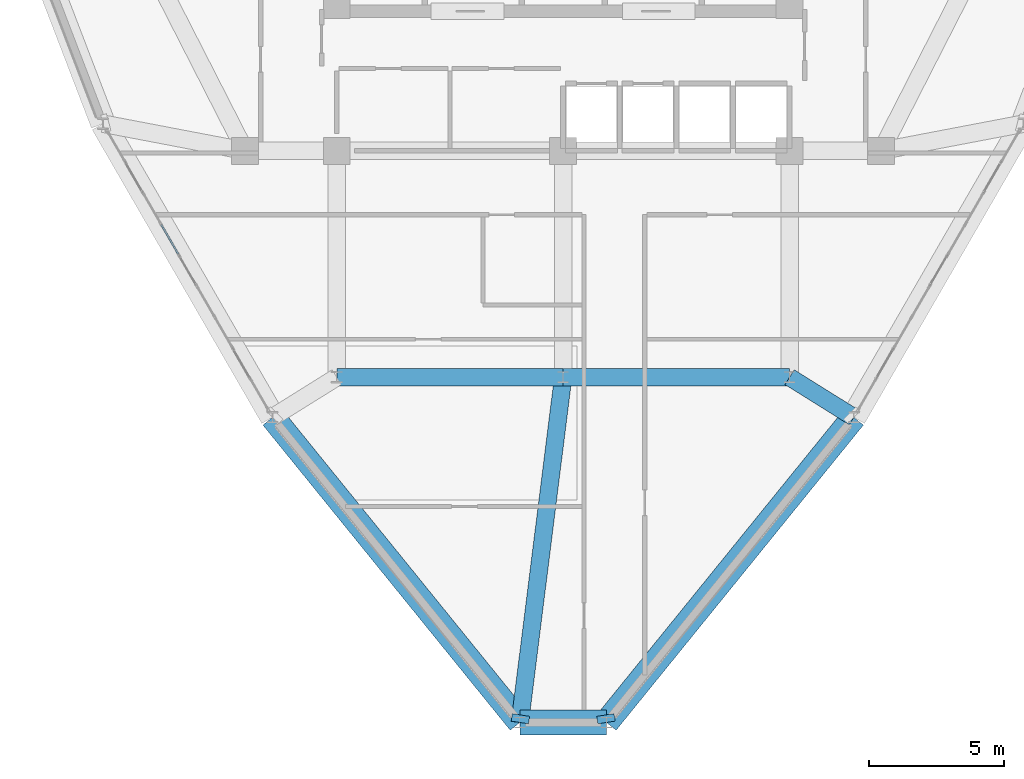
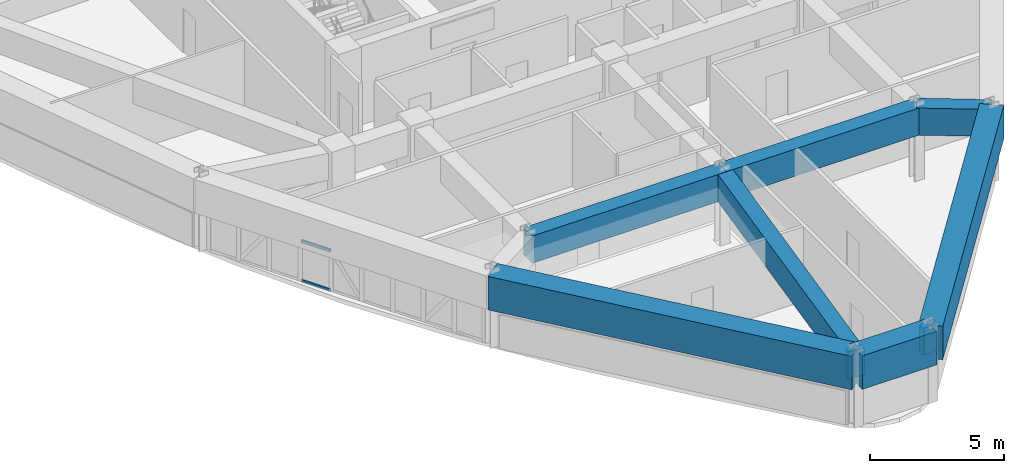
# One storey, part 3 of 14: 9 beams, 2 members, 1 element without a shape of its own.
"""IFC4 building model written with IfcOpenShell, lengths in metres."""

from ifc_helpers import new_model, si_unit, derived_unit, direction, frame, origin, origin_2d, place, context, subcontext, project, spatial, rectangle, hollow_rectangle, extrude, source, transform, mapped, material, layer, layer_set, material_profile, profile_set, type_object, element, aggregate, save


model = new_model("IFC4")

# Units and contexts
model_context = context("Model", 3, precision=1e-05, world=origin(), true_north=direction((0.0, 1.0)))
body_context = subcontext(model_context, "Body", "Model", "MODEL_VIEW")
ifc_project = project(units=[si_unit("LENGTHUNIT", "METRE"), si_unit("AREAUNIT", "SQUARE_METRE"), si_unit("VOLUMEUNIT", "CUBIC_METRE"), si_unit("PLANEANGLEUNIT", "RADIAN"), si_unit("MASSUNIT", "GRAM", prefix="KILO"), derived_unit("THERMALTRANSMITTANCEUNIT", [(si_unit("POWERUNIT", "WATT"), 1), (si_unit("LENGTHUNIT", "METRE"), -2), (si_unit("THERMODYNAMICTEMPERATUREUNIT", "KELVIN"), -1)])], contexts=[model_context])

# Site, building, storey
site_placement = place(None, origin())
site = spatial("IfcSite", under=ifc_project, at=site_placement, CompositionType="ELEMENT")
building_placement = place(site_placement, origin())
building = spatial("IfcBuilding", under=site, at=building_placement, Name="Korsvarv Bourse and Concert Hall", CompositionType="ELEMENT")
storey_placement = place(building_placement, frame((0.0, 0.0, 186.60009765625)))
storey = spatial("IfcBuildingStorey", under=building, at=storey_placement, Name="L48", CompositionType="ELEMENT", Elevation=186.60009765625)

# Beams
ifc_material_1 = material(Name="Concrete C50/60", Category="concrete")
ifc_material_profile_1 = material_profile(ifc_material_1, rectangle(XDim=0.64990234375, YDim=1.239990234375, at=origin_2d()), Name="RC-BM 650x1240")
ifc_profile_set_1 = profile_set([ifc_material_profile_1], Name="Concrete C50/60")
beam_type_1 = type_object("IfcBeamType", Name="BM-TR-SPN", PredefinedType="BEAM", material=ifc_profile_set_1)
shared_shape_1 = source(origin(), body_context, "Body", "SweptSolid", [
    extrude(rectangle(XDim=0.64990234375, YDim=1.239990234375, at=origin_2d()), origin(), (0.0, 0.0, 1.0), 8.39990234375),
])
for number, where, z_axis, x_axis, name in (
    (1, (27.60009765625, 24.0, 2.77978515625), (1.0, 0.0, 0.0), (0.0, 1.0, 0.0), "L48 beam B-TRS"),
    (2, (36.0, 24.0, 2.77978515625), (1.0, 0.0, 0.0), (0.0, 1.0, 0.0), "L48 beam B-TRS"),
):
    element("IfcBeam", number, at=place(storey_placement, frame(where, z_axis=z_axis, x_axis=x_axis)), inside=storey, type_object=beam_type_1, Name=name, PredefinedType="BEAM", context=body_context, shape_type="MappedRepresentation", body=[
        mapped(shared_shape_1, transform((0.0, 0.0, 0.0), scale=1.0)),
    ])
ifc_material_profile_2 = material_profile(ifc_material_1, rectangle(XDim=0.919921875, YDim=1.530029296875, at=origin_2d()), Name="RC-BM 920x1530")
ifc_profile_set_2 = profile_set([ifc_material_profile_2], Name="Concrete C50/60")
beam_type_2 = type_object("IfcBeamType", Name="BM-TR-154", PredefinedType="BEAM", material=ifc_profile_set_2)
shared_shape_2 = source(origin(), body_context, "Body", "SweptSolid", [
    extrude(rectangle(XDim=0.919921875, YDim=1.530029296875, at=origin_2d()), origin(), (0.0, 0.0, 1.0), 3.21533203125),
])
beam_1_placement = place(storey_placement, frame((34.392333984375, 11.189453125, 2.635009765625), z_axis=(1.0, 0.0, 0.0), x_axis=(0.0, 1.0, 0.0)))
element("IfcBeam", 3, at=beam_1_placement, inside=storey, type_object=beam_type_2, Name="L48 beam B-TR6", PredefinedType="BEAM", context=body_context, shape_type="MappedRepresentation", body=[
    mapped(shared_shape_2, transform((0.0, 0.0, 0.0), scale=1.0)),
])
shared_shape_3 = source(origin(), body_context, "Body", "SweptSolid", [
    extrude(rectangle(XDim=0.919921875, YDim=1.530029296875, at=origin_2d()), origin(), (0.0, 0.0, 1.0), 14.57373046875),
])
for number, where, z_axis, x_axis, name in (
    (4, (25.216796875, 22.51220703125, 2.635009765625), (0.629591866745, -0.776926046242, 0.0), (0.776926046242, 0.629591866745, 0.0), "L48 beam B-TR6"),
    (5, (37.607666015625, 11.189453125, 2.635009765625), (0.629591866745, 0.776926046242, 0.0), (-0.776926046242, 0.629591866745, 0.0), "L48 beam B-TR6"),
):
    element("IfcBeam", number, at=place(storey_placement, frame(where, z_axis=z_axis, x_axis=x_axis)), inside=storey, type_object=beam_type_2, Name=name, PredefinedType="BEAM", context=body_context, shape_type="MappedRepresentation", body=[
        mapped(shared_shape_3, transform((0.0, 0.0, 0.0), scale=1.0)),
    ])
shared_shape_4 = source(origin(), body_context, "Body", "SweptSolid", [
    extrude(rectangle(XDim=0.64990234375, YDim=1.239990234375, at=origin_2d()), origin(), (0.0, 0.0, 1.0), 2.8095703125),
])
beam_2_placement = place(storey_placement, frame((46.783203125, 22.51220703125, 2.77978515625), z_axis=(-0.848281328121, 0.529545832163, 0.0), x_axis=(-0.529545832163, -0.848281328121, 0.0)))
element("IfcBeam", 6, at=beam_2_placement, inside=storey, type_object=beam_type_1, Name="L48 beam B-TRS", PredefinedType="BEAM", context=body_context, shape_type="MappedRepresentation", body=[
    mapped(shared_shape_4, transform((0.0, 0.0, 0.0), scale=1.0)),
])
shared_shape_5 = source(origin(), body_context, "Body", "SweptSolid", [
    extrude(rectangle(XDim=0.64990234375, YDim=1.239990234375, at=origin_2d()), origin(), (0.0, 0.0, 1.0), 12.9111328125),
])
beam_3_placement = place(storey_placement, frame((34.392333984375, 11.189453125, 2.77978515625), z_axis=(0.124518802036, 0.992217248358, 0.0), x_axis=(-0.992217248358, 0.124518802036, 0.0)))
element("IfcBeam", 7, at=beam_3_placement, inside=storey, type_object=beam_type_1, Name="L48 beam B-TRS", PredefinedType="BEAM", context=body_context, shape_type="MappedRepresentation", body=[
    mapped(shared_shape_5, transform((0.0, 0.0, 0.0), scale=1.0)),
])
shared_shape_6 = source(origin(), body_context, "Body", "SweptSolid", [
    extrude(rectangle(XDim=0.64990234375, YDim=1.239990234375, at=origin_2d()), origin(), (0.0, 0.0, 1.0), 0.279052734375),
])
for number, where, z_axis, x_axis, name in (
    (8, (34.392333984375, 11.189453125, 2.77978515625), (0.154029806448, 0.988066201591, 0.0), (-0.988066201591, 0.154029806448, 0.0), "L48 beam B-TRS"),
    (9, (37.607666015625, 11.189453125, 2.77978515625), (-0.154029806448, 0.988066201591, 0.0), (-0.988066201591, -0.154029806448, 0.0), "L48 beam B-TRS"),
):
    element("IfcBeam", number, at=place(storey_placement, frame(where, z_axis=z_axis, x_axis=x_axis)), inside=storey, type_object=beam_type_1, Name=name, PredefinedType="BEAM", context=body_context, shape_type="MappedRepresentation", body=[
        mapped(shared_shape_6, transform((0.0, 0.0, 0.0), scale=1.0)),
    ])

# Curtain wall, members
ifc_material_2 = material(Name="Anodised aluminium and triple low-E glazing", Category="glass")
ifc_layer = layer(ifc_material_2, 0.199951171875)
ifc_layer_set = layer_set([ifc_layer], Name="Anodised aluminium and triple low-E glazing")
curtain_wall_type = type_object("IfcCurtainWallType", Name="CW-SYS-3", PredefinedType="NOTDEFINED", material=ifc_layer_set)
curtain_wall_placement = place(storey_placement, origin())
curtain_wall = element("IfcCurtainWall", 10, at=curtain_wall_placement, inside=storey, type_object=curtain_wall_type, Name="L48 CW3 curtain wall CW-L48-F07", PredefinedType="NOTDEFINED")
ifc_material_3 = material(Name="Extruded aluminium EN AW-6063 T66", Category="aluminium")
ifc_material_profile_3 = material_profile(ifc_material_3, hollow_rectangle(XDim=0.06494140625, YDim=0.139892578125, WallThickness=0.00390625, at=origin_2d()), Name="ALU-T 65x140")
ifc_profile_set_3 = profile_set([ifc_material_profile_3], Name="Extruded aluminium EN AW-6063 T66")
member_type = type_object("IfcMemberType", Name="CWT-140", PredefinedType="USERDEFINED", material=ifc_profile_set_3)
shared_shape_7 = source(origin(), body_context, "Body", "SweptSolid", [
    extrude(hollow_rectangle(XDim=0.06494140625, YDim=0.139892578125, WallThickness=0.00390625, at=origin_2d()), origin(), (0.0, 0.0, 1.0), 1.26123046875),
])
member_1_placement = place(storey_placement, frame((21.09130859375, 29.657958984375, 0.032470703125), z_axis=(0.499990548297, -0.866030860659, 0.0), x_axis=(0.866030860659, 0.499990548297, 0.0)))
member_1 = element("IfcMember", 11, at=member_1_placement, type_object=member_type, Name="CW3 transom 4.1", ObjectType="TRANSOM", PredefinedType="USERDEFINED", context=body_context, shape_type="MappedRepresentation", body=[
    mapped(shared_shape_7, transform((0.0, 0.0, 0.0), scale=1.0)),
])
member_2_placement = place(storey_placement, frame((21.09130859375, 29.657958984375, 1.83740234375), z_axis=(0.499990548297, -0.866030860659, 0.0), x_axis=(0.866030860659, 0.499990548297, 0.0)))
member_2 = element("IfcMember", 12, at=member_2_placement, type_object=member_type, Name="CW3 transom 4.2", ObjectType="TRANSOM", PredefinedType="USERDEFINED", context=body_context, shape_type="MappedRepresentation", body=[
    mapped(shared_shape_7, transform((0.0, 0.0, 0.0), scale=1.0)),
])
aggregate(curtain_wall, [member_1, member_2])

save(model, "model.ifc")
